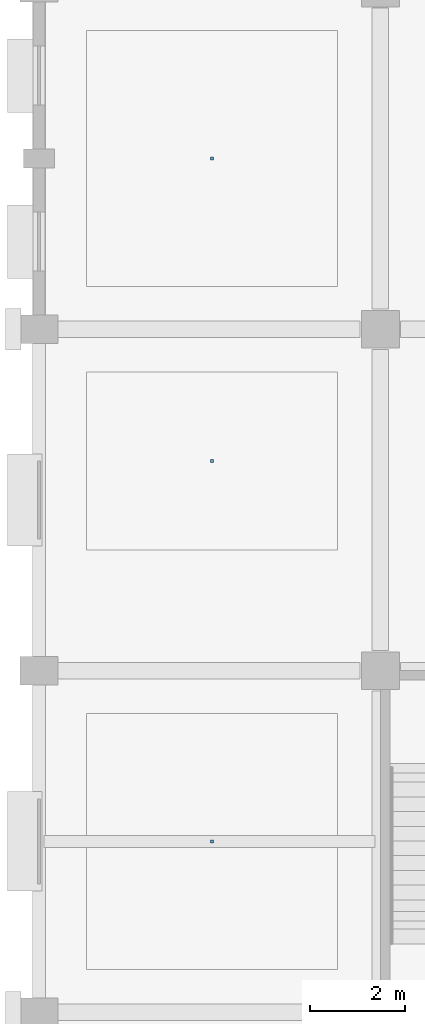
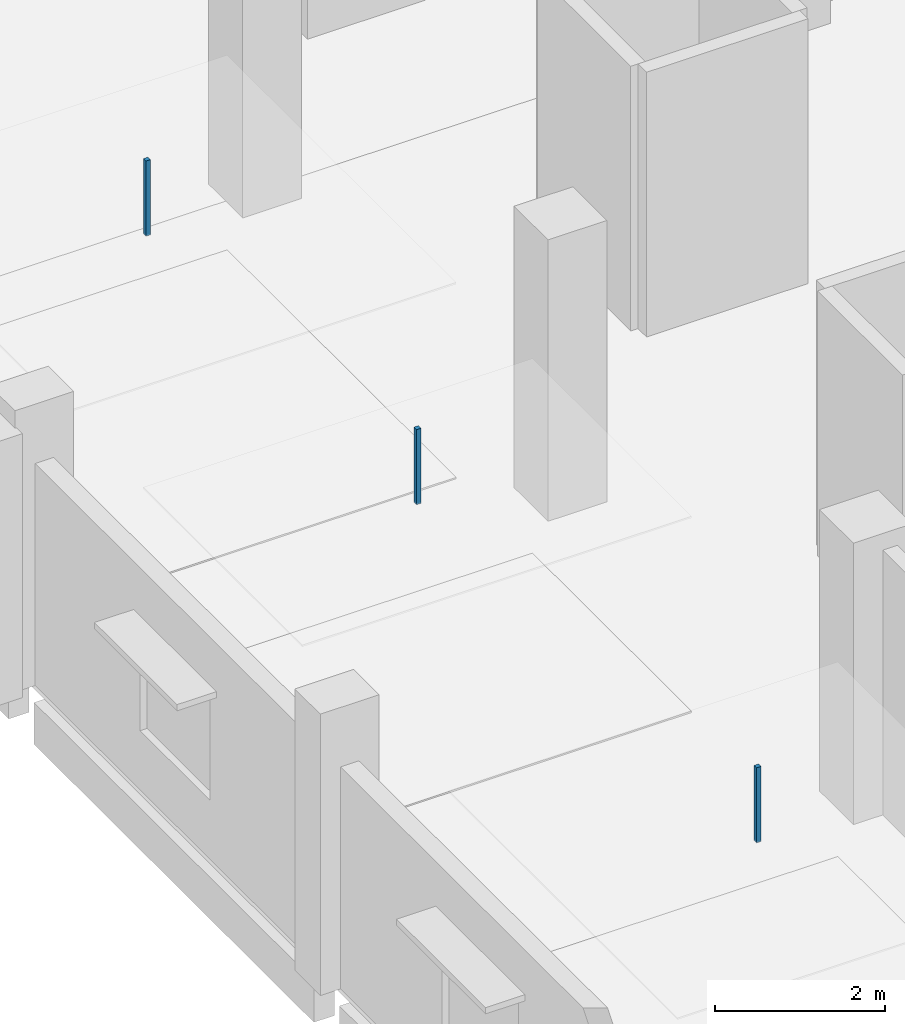
# One storey, part 90 of 108: 3 discrete accessories.
"""IFC4 building model written with IfcOpenShell, lengths in metres."""

from ifc_helpers import new_model, si_unit, direction, frame, origin, origin_2d, place, context, subcontext, project, spatial, rectangle, extrude, material, type_object, element, save


model = new_model("IFC4")

# Units and contexts
model_context = context("Model", 3, precision=1e-05, world=origin(), true_north=direction((0.0, 1.0)))
body_context = subcontext(model_context, "Body", "Model", "MODEL_VIEW")
ifc_project = project(units=[si_unit("LENGTHUNIT", "METRE"), si_unit("AREAUNIT", "SQUARE_METRE"), si_unit("VOLUMEUNIT", "CUBIC_METRE"), si_unit("PLANEANGLEUNIT", "RADIAN"), si_unit("MASSUNIT", "GRAM", prefix="KILO")], contexts=[model_context])

# Site, building, storey
site_placement = place(None, origin())
site = spatial("IfcSite", under=ifc_project, at=site_placement, CompositionType="ELEMENT")
building_placement = place(site_placement, origin())
building = spatial("IfcBuilding", under=site, at=building_placement, Name="Kangsadwip Square Police Headquarters", CompositionType="ELEMENT")
storey_placement = place(building_placement, frame((0.0, 0.0, 9.449951171875)))
storey = spatial("IfcBuildingStorey", under=building, at=storey_placement, Name="L02", CompositionType="ELEMENT", Elevation=9.449951171875)

# Discrete accessories
ifc_material = material(Name="Structural steel IS 2062 E350 (Grade 350, 350 MPa)", Category="steel")
discrete_accessory_type = type_object("IfcDiscreteAccessoryType", Name="VeilOutriggerBracket", PredefinedType="BRACKET", material=ifc_material)
for number, where, z_axis, x_axis, name in (
    (1, (3.64990234375, 46.800048828125, 2.81005859375), (0.0, 0.0, 1.0), (1.0, 0.0, 0.0), "Ceiling Suspension Hanger L02-074"),
    (2, (3.64990234375, 54.824951171875, 2.81005859375), (0.0, 0.0, 1.0), (1.0, 0.0, 0.0), "Ceiling Suspension Hanger L02-075"),
    (3, (3.64990234375, 61.199951171875, 2.81005859375), (0.0, 0.0, 1.0), (1.0, 0.0, 0.0), "Ceiling Suspension Hanger L02-076"),
):
    element("IfcDiscreteAccessory", number, at=place(storey_placement, frame(where, z_axis=z_axis, x_axis=x_axis)), inside=storey, type_object=discrete_accessory_type, Name=name, PredefinedType="BRACKET", context=body_context, shape_type="SweptSolid", body=[
        extrude(rectangle(XDim=0.06005859375, YDim=0.06005859375, at=origin_2d()), origin(), (0.0, 0.0, 1.0), 1.080078125),
    ])

save(model, "model.ifc")
